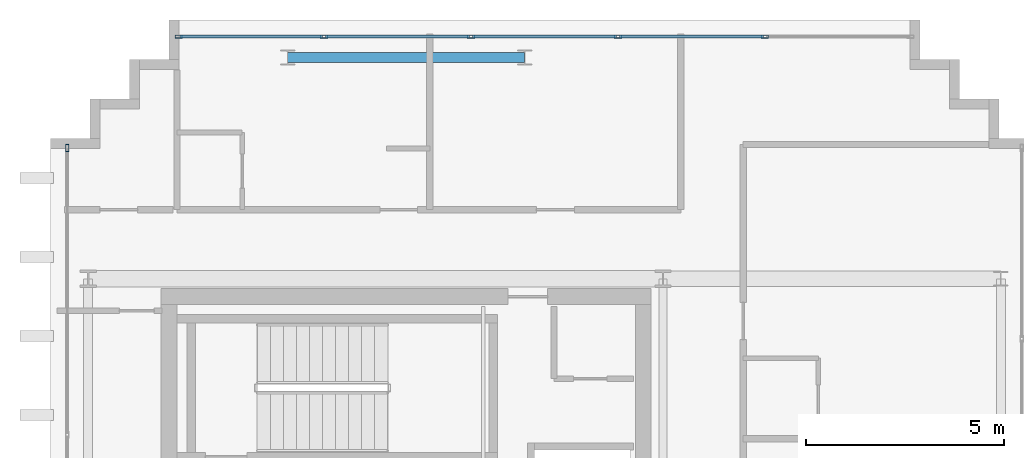
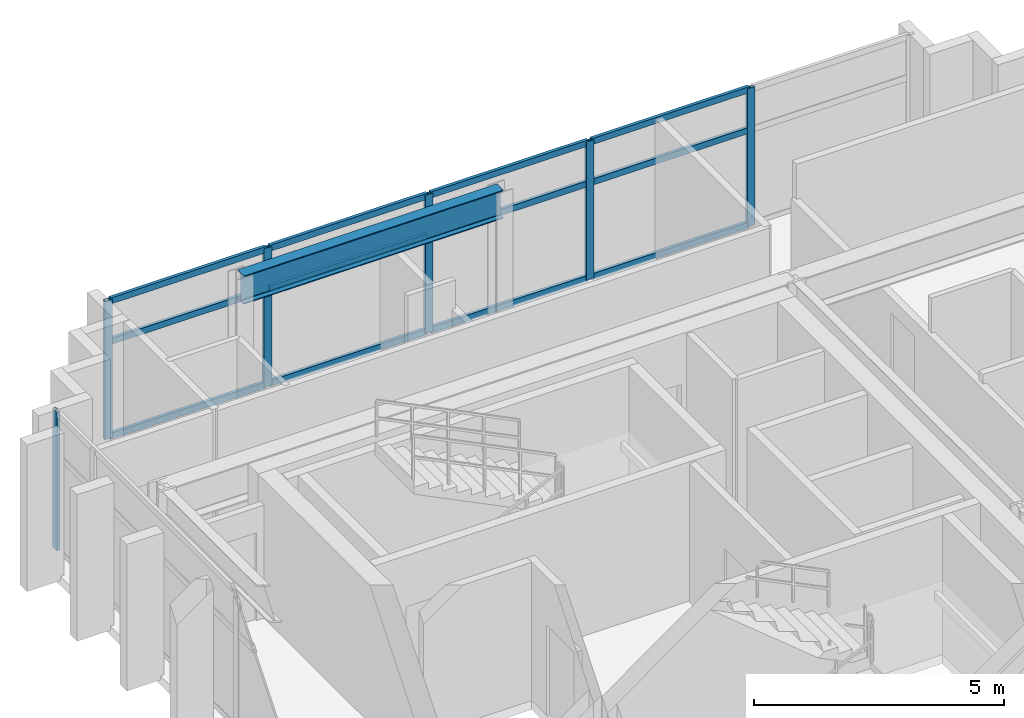
# One storey, part 9 of 15: 18 members, 1 beam, 2 elements without a shape of their own.
"""IFC4 building model written with IfcOpenShell, lengths in metres."""

from ifc_helpers import new_model, si_unit, direction, frame, origin, origin_2d, place, context, subcontext, project, spatial, hollow_rectangle, i_section, extrude, source, transform, mapped, material, layer, layer_set, material_profile, profile_set, type_object, element, aggregate, save


model = new_model("IFC4")

# Units and contexts
model_context = context("Model", 3, precision=1e-05, world=origin(), true_north=direction((0.0, 1.0)))
body_context = subcontext(model_context, "Body", "Model", "MODEL_VIEW")
ifc_project = project(units=[si_unit("LENGTHUNIT", "METRE"), si_unit("AREAUNIT", "SQUARE_METRE"), si_unit("VOLUMEUNIT", "CUBIC_METRE"), si_unit("PLANEANGLEUNIT", "RADIAN"), si_unit("MASSUNIT", "GRAM", prefix="KILO")], contexts=[model_context])

# Site, building, storey
site_placement = place(None, origin())
site = spatial("IfcSite", under=ifc_project, at=site_placement, CompositionType="ELEMENT")
building_placement = place(site_placement, origin())
building = spatial("IfcBuilding", under=site, at=building_placement, Name="Ocotamira Hotel", CompositionType="ELEMENT")
storey_placement = place(building_placement, frame((0.0, 0.0, 286.800048828125)))
storey = spatial("IfcBuildingStorey", under=building, at=storey_placement, Name="L73", CompositionType="ELEMENT", Elevation=286.800048828125)

# Beam
ifc_material_1 = material(Name="Steel ASTM A992 Grade 50", Category="steel")
ifc_material_profile_1 = material_profile(ifc_material_1, i_section(OverallWidth=0.256103515625, OverallDepth=0.693115234375, WebThickness=0.014404296875, FlangeThickness=0.023681640625, FilletRadius=0.01611328125, at=origin_2d()), Name="W27X114")
ifc_profile_set_1 = profile_set([ifc_material_profile_1], Name="Steel ASTM A992 Grade 50")
beam_type = type_object("IfcBeamType", Name="BM-PRIM-W27X114", PredefinedType="BEAM", material=ifc_profile_set_1)
shared_shape_1 = source(origin(), body_context, "Body", "SweptSolid", [
    extrude(i_section(OverallWidth=0.256103515625, OverallDepth=0.693115234375, WebThickness=0.014404296875, FlangeThickness=0.023681640625, FilletRadius=0.01611328125, at=origin_2d()), origin(), (0.0, 0.0, 1.0), 6.0),
])
beam_placement = place(storey_placement, frame((14.0, 43.050048828125, 3.033447265625), z_axis=(1.0, 0.0, 0.0), x_axis=(0.0, 1.0, 0.0)))
element("IfcBeam", 1, at=beam_placement, inside=storey, type_object=beam_type, Name="L73 Girder Y43.05 X14-20", PredefinedType="BEAM", context=body_context, shape_type="MappedRepresentation", body=[
    mapped(shared_shape_1, transform((0.0, 0.0, 0.0), scale=1.0)),
])

# Curtain wall, members
ifc_material_2 = material(Name="Anodised pale-metal aluminium and solar glass", Category="aluminium")
ifc_layer = layer(ifc_material_2, 0.2099609375)
ifc_layer_set = layer_set([ifc_layer], Name="Anodised pale-metal aluminium and solar glass")
curtain_wall_type = type_object("IfcCurtainWallType", Name="CW-SYS7-PEAK", PredefinedType="NOTDEFINED", material=ifc_layer_set)
curtain_wall_1_placement = place(storey_placement, origin())
curtain_wall_1 = element("IfcCurtainWall", 2, at=curtain_wall_1_placement, inside=storey, type_object=curtain_wall_type, Name="L73 Curtain Wall CW-7 CW-L73-N", PredefinedType="NOTDEFINED")
ifc_material_3 = material(Name="Anodised pale-metal aluminium 6063-T6", Category="aluminium")
ifc_material_profile_2 = material_profile(ifc_material_3, hollow_rectangle(XDim=0.080078125, YDim=0.179931640625, WallThickness=0.006103515625, at=origin_2d()), Name="HSS180X80X6")
ifc_profile_set_2 = profile_set([ifc_material_profile_2], Name="Anodised pale-metal aluminium 6063-T6")
member_type_1 = type_object("IfcMemberType", Name="CWM-180X75", PredefinedType="MULLION", material=ifc_profile_set_2)
shared_shape_2 = source(origin(), body_context, "Body", "SweptSolid", [
    extrude(hollow_rectangle(XDim=0.080078125, YDim=0.179931640625, WallThickness=0.006103515625, at=origin_2d()), origin(), (0.0, 0.0, 1.0), 3.3798828125),
])
member_1_placement = place(storey_placement, frame((11.239990234375, 43.580078125, 0.0), z_axis=(0.0, 0.0, 1.0), x_axis=(0.0, 1.0, 0.0)))
member_1 = element("IfcMember", 3, at=member_1_placement, type_object=member_type_1, Name="CW-7 mullion 1", PredefinedType="MULLION", context=body_context, shape_type="MappedRepresentation", body=[
    mapped(shared_shape_2, transform((0.0, 0.0, 0.0), scale=1.0)),
])
member_2_placement = place(storey_placement, frame((14.919921875, 43.580078125, 0.0), z_axis=(0.0, 0.0, 1.0), x_axis=(0.0, 1.0, 0.0)))
member_2 = element("IfcMember", 4, at=member_2_placement, type_object=member_type_1, Name="CW-7 mullion 2", PredefinedType="MULLION", context=body_context, shape_type="MappedRepresentation", body=[
    mapped(shared_shape_2, transform((0.0, 0.0, 0.0), scale=1.0)),
])
member_3_placement = place(storey_placement, frame((18.639892578125, 43.580078125, 0.0), z_axis=(0.0, 0.0, 1.0), x_axis=(0.0, 1.0, 0.0)))
member_3 = element("IfcMember", 5, at=member_3_placement, type_object=member_type_1, Name="CW-7 mullion 3", PredefinedType="MULLION", context=body_context, shape_type="MappedRepresentation", body=[
    mapped(shared_shape_2, transform((0.0, 0.0, 0.0), scale=1.0)),
])
member_4_placement = place(storey_placement, frame((22.360107421875, 43.580078125, 0.0), z_axis=(0.0, 0.0, 1.0), x_axis=(0.0, 1.0, 0.0)))
member_4 = element("IfcMember", 6, at=member_4_placement, type_object=member_type_1, Name="CW-7 mullion 4", PredefinedType="MULLION", context=body_context, shape_type="MappedRepresentation", body=[
    mapped(shared_shape_2, transform((0.0, 0.0, 0.0), scale=1.0)),
])
member_5_placement = place(storey_placement, frame((26.080078125, 43.580078125, 0.0), z_axis=(0.0, 0.0, 1.0), x_axis=(0.0, 1.0, 0.0)))
member_5 = element("IfcMember", 7, at=member_5_placement, type_object=member_type_1, Name="CW-7 mullion 5", PredefinedType="MULLION", context=body_context, shape_type="MappedRepresentation", body=[
    mapped(shared_shape_2, transform((0.0, 0.0, 0.0), scale=1.0)),
])

# Curtain wall, member
curtain_wall_2_placement = place(storey_placement, origin())
curtain_wall_2 = element("IfcCurtainWall", 8, at=curtain_wall_2_placement, inside=storey, type_object=curtain_wall_type, Name="L73 Curtain Wall CW-7 CW-L73-W2", PredefinedType="NOTDEFINED")
member_6_placement = place(storey_placement, frame((8.419921875, 40.760009765625, 0.0), z_axis=(0.0, 0.0, 1.0), x_axis=(-1.0, 0.0, 0.0)))
member_6 = element("IfcMember", 9, at=member_6_placement, type_object=member_type_1, Name="CW-7 mullion 3", PredefinedType="MULLION", context=body_context, shape_type="MappedRepresentation", body=[
    mapped(shared_shape_2, transform((0.0, 0.0, 0.0), scale=1.0)),
])
aggregate(curtain_wall_2, [member_6])

# Member
ifc_material_profile_3 = material_profile(ifc_material_3, hollow_rectangle(XDim=0.074951171875, YDim=0.14990234375, WallThickness=0.006103515625, at=origin_2d()), Name="HSS150X75X6")
ifc_profile_set_3 = profile_set([ifc_material_profile_3], Name="Anodised pale-metal aluminium 6063-T6")
member_type_2 = type_object("IfcMemberType", Name="CWT-150X75", PredefinedType="USERDEFINED", material=ifc_profile_set_3)
shared_shape_3 = source(origin(), body_context, "Body", "SweptSolid", [
    extrude(hollow_rectangle(XDim=0.074951171875, YDim=0.14990234375, WallThickness=0.006103515625, at=origin_2d()), origin(), (0.0, 0.0, 1.0), 3.599853515625),
])
member_7_placement = place(storey_placement, frame((11.280029296875, 43.580078125, 0.037353515625), z_axis=(1.0, 0.0, 0.0), x_axis=(0.0, 1.0, 0.0)))
member_7 = element("IfcMember", 10, at=member_7_placement, type_object=member_type_2, Name="CW-7 transom 1.1", ObjectType="TRANSOM", PredefinedType="USERDEFINED", context=body_context, shape_type="MappedRepresentation", body=[
    mapped(shared_shape_3, transform((0.0, 0.0, 0.0), scale=1.0)),
])

member_8_placement = place(storey_placement, frame((11.280029296875, 43.580078125, 2.349853515625), z_axis=(1.0, 0.0, 0.0), x_axis=(0.0, 1.0, 0.0)))
member_8 = element("IfcMember", 11, at=member_8_placement, type_object=member_type_2, Name="CW-7 transom 1.2", ObjectType="TRANSOM", PredefinedType="USERDEFINED", context=body_context, shape_type="MappedRepresentation", body=[
    mapped(shared_shape_3, transform((0.0, 0.0, 0.0), scale=1.0)),
])

member_9_placement = place(storey_placement, frame((11.280029296875, 43.580078125, 3.342529296875), z_axis=(1.0, 0.0, 0.0), x_axis=(0.0, 1.0, 0.0)))
member_9 = element("IfcMember", 12, at=member_9_placement, type_object=member_type_2, Name="CW-7 transom 1.3", ObjectType="TRANSOM", PredefinedType="USERDEFINED", context=body_context, shape_type="MappedRepresentation", body=[
    mapped(shared_shape_3, transform((0.0, 0.0, 0.0), scale=1.0)),
])

shared_shape_4 = source(origin(), body_context, "Body", "SweptSolid", [
    extrude(hollow_rectangle(XDim=0.074951171875, YDim=0.14990234375, WallThickness=0.006103515625, at=origin_2d()), origin(), (0.0, 0.0, 1.0), 3.64013671875),
])
member_10_placement = place(storey_placement, frame((14.9599609375, 43.580078125, 0.037353515625), z_axis=(1.0, 0.0, 0.0), x_axis=(0.0, 1.0, 0.0)))
member_10 = element("IfcMember", 13, at=member_10_placement, type_object=member_type_2, Name="CW-7 transom 2.1", ObjectType="TRANSOM", PredefinedType="USERDEFINED", context=body_context, shape_type="MappedRepresentation", body=[
    mapped(shared_shape_4, transform((0.0, 0.0, 0.0), scale=1.0)),
])

member_11_placement = place(storey_placement, frame((14.9599609375, 43.580078125, 2.349853515625), z_axis=(1.0, 0.0, 0.0), x_axis=(0.0, 1.0, 0.0)))
member_11 = element("IfcMember", 14, at=member_11_placement, type_object=member_type_2, Name="CW-7 transom 2.2", ObjectType="TRANSOM", PredefinedType="USERDEFINED", context=body_context, shape_type="MappedRepresentation", body=[
    mapped(shared_shape_4, transform((0.0, 0.0, 0.0), scale=1.0)),
])

member_12_placement = place(storey_placement, frame((14.9599609375, 43.580078125, 3.342529296875), z_axis=(1.0, 0.0, 0.0), x_axis=(0.0, 1.0, 0.0)))
member_12 = element("IfcMember", 15, at=member_12_placement, type_object=member_type_2, Name="CW-7 transom 2.3", ObjectType="TRANSOM", PredefinedType="USERDEFINED", context=body_context, shape_type="MappedRepresentation", body=[
    mapped(shared_shape_4, transform((0.0, 0.0, 0.0), scale=1.0)),
])

member_13_placement = place(storey_placement, frame((18.679931640625, 43.580078125, 0.037353515625), z_axis=(1.0, 0.0, 0.0), x_axis=(0.0, 1.0, 0.0)))
member_13 = element("IfcMember", 16, at=member_13_placement, type_object=member_type_2, Name="CW-7 transom 3.1", ObjectType="TRANSOM", PredefinedType="USERDEFINED", context=body_context, shape_type="MappedRepresentation", body=[
    mapped(shared_shape_4, transform((0.0, 0.0, 0.0), scale=1.0)),
])

member_14_placement = place(storey_placement, frame((18.679931640625, 43.580078125, 2.349853515625), z_axis=(1.0, 0.0, 0.0), x_axis=(0.0, 1.0, 0.0)))
member_14 = element("IfcMember", 17, at=member_14_placement, type_object=member_type_2, Name="CW-7 transom 3.2", ObjectType="TRANSOM", PredefinedType="USERDEFINED", context=body_context, shape_type="MappedRepresentation", body=[
    mapped(shared_shape_4, transform((0.0, 0.0, 0.0), scale=1.0)),
])

member_15_placement = place(storey_placement, frame((18.679931640625, 43.580078125, 3.342529296875), z_axis=(1.0, 0.0, 0.0), x_axis=(0.0, 1.0, 0.0)))
member_15 = element("IfcMember", 18, at=member_15_placement, type_object=member_type_2, Name="CW-7 transom 3.3", ObjectType="TRANSOM", PredefinedType="USERDEFINED", context=body_context, shape_type="MappedRepresentation", body=[
    mapped(shared_shape_4, transform((0.0, 0.0, 0.0), scale=1.0)),
])

member_16_placement = place(storey_placement, frame((22.39990234375, 43.580078125, 0.037353515625), z_axis=(1.0, 0.0, 0.0), x_axis=(0.0, 1.0, 0.0)))
member_16 = element("IfcMember", 19, at=member_16_placement, type_object=member_type_2, Name="CW-7 transom 4.1", ObjectType="TRANSOM", PredefinedType="USERDEFINED", context=body_context, shape_type="MappedRepresentation", body=[
    mapped(shared_shape_4, transform((0.0, 0.0, 0.0), scale=1.0)),
])

member_17_placement = place(storey_placement, frame((22.39990234375, 43.580078125, 2.349853515625), z_axis=(1.0, 0.0, 0.0), x_axis=(0.0, 1.0, 0.0)))
member_17 = element("IfcMember", 20, at=member_17_placement, type_object=member_type_2, Name="CW-7 transom 4.2", ObjectType="TRANSOM", PredefinedType="USERDEFINED", context=body_context, shape_type="MappedRepresentation", body=[
    mapped(shared_shape_4, transform((0.0, 0.0, 0.0), scale=1.0)),
])

member_18_placement = place(storey_placement, frame((22.39990234375, 43.580078125, 3.342529296875), z_axis=(1.0, 0.0, 0.0), x_axis=(0.0, 1.0, 0.0)))
member_18 = element("IfcMember", 21, at=member_18_placement, type_object=member_type_2, Name="CW-7 transom 4.3", ObjectType="TRANSOM", PredefinedType="USERDEFINED", context=body_context, shape_type="MappedRepresentation", body=[
    mapped(shared_shape_4, transform((0.0, 0.0, 0.0), scale=1.0)),
])

aggregate(curtain_wall_1, [member_1, member_2, member_3, member_4, member_5, member_7, member_8, member_9, member_10, member_11, member_12, member_13, member_14, member_15, member_16, member_17, member_18])

save(model, "model.ifc")
